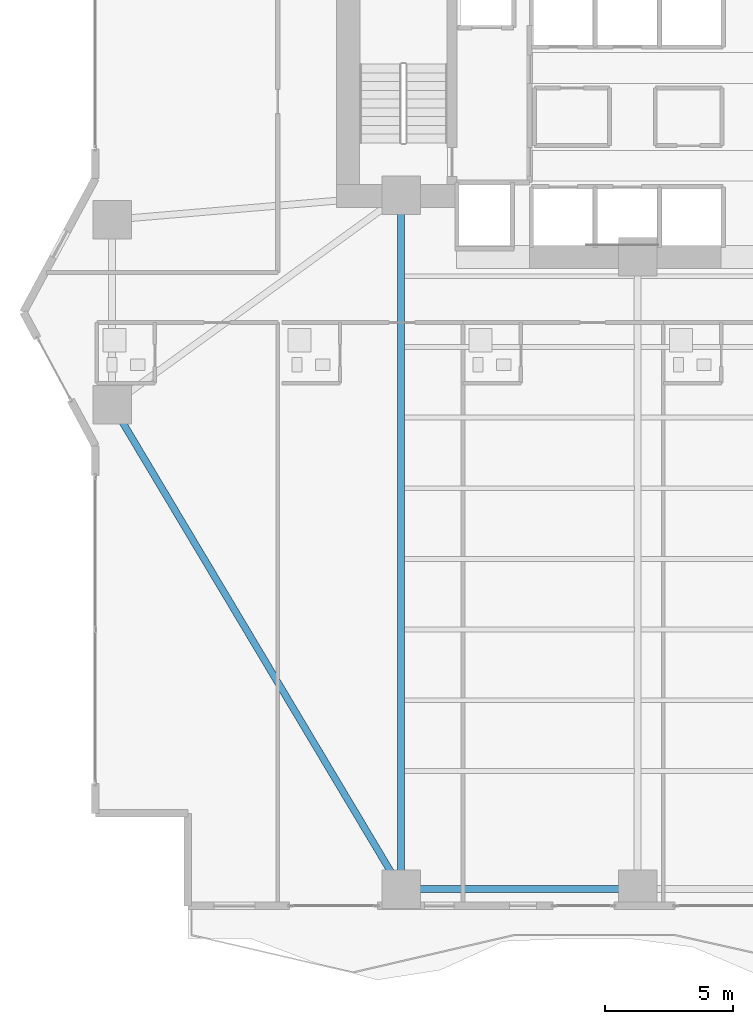
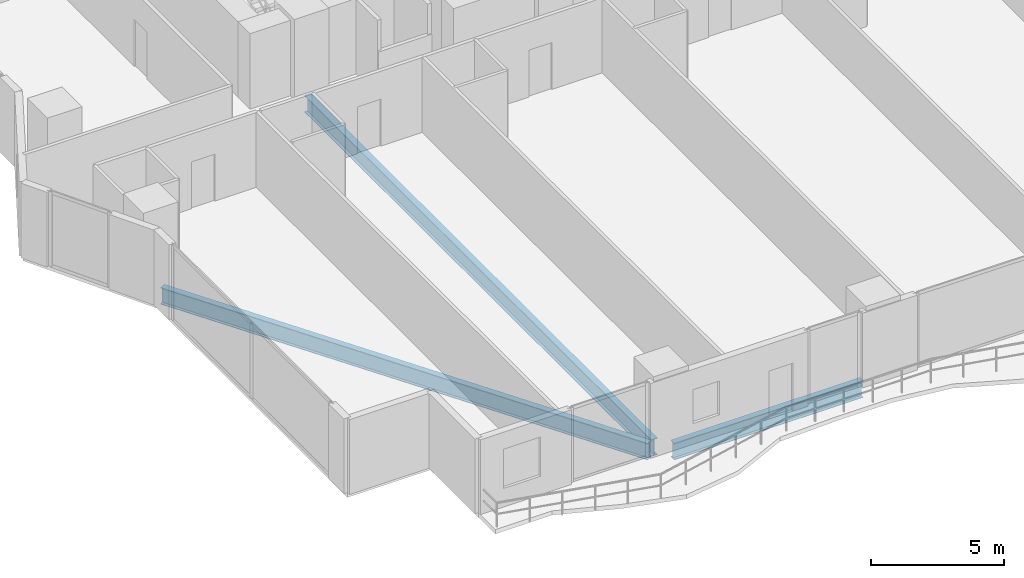
# One storey, part 3 of 28: 3 beams.
"""IFC4 building model written with IfcOpenShell, lengths in metres."""

from ifc_helpers import new_model, si_unit, direction, frame, origin, origin_2d, place, context, subcontext, project, spatial, i_section, extrude, material, material_profile, profile_set, type_object, element, save


model = new_model("IFC4")

# Units and contexts
model_context = context("Model", 3, precision=1e-05, world=origin(), true_north=direction((0.0, 1.0)))
body_context = subcontext(model_context, "Body", "Model", "MODEL_VIEW")
ifc_project = project(units=[si_unit("LENGTHUNIT", "METRE"), si_unit("AREAUNIT", "SQUARE_METRE"), si_unit("VOLUMEUNIT", "CUBIC_METRE"), si_unit("PLANEANGLEUNIT", "RADIAN"), si_unit("MASSUNIT", "GRAM", prefix="KILO")], contexts=[model_context])

# Site, building, storey
site_placement = place(None, origin())
site = spatial("IfcSite", under=ifc_project, at=site_placement, CompositionType="ELEMENT")
building_placement = place(site_placement, origin())
building = spatial("IfcBuilding", under=site, at=building_placement, Name="Zuhayl Quay Hotel", CompositionType="ELEMENT")
storey_placement = place(building_placement, frame((0.0, 0.0, 56.800048828125)))
storey = spatial("IfcBuildingStorey", under=building, at=storey_placement, Name="L13", CompositionType="ELEMENT", Elevation=56.800048828125)

# Beams
ifc_material = material(Name="Steel ASTM A992 Grade 50", Category="steel")
ifc_material_profile = material_profile(ifc_material, i_section(OverallWidth=0.26708984375, OverallDepth=0.761962890625, WebThickness=0.014404296875, FlangeThickness=0.021484375, at=origin_2d()), Name="W30X116")
ifc_profile_set = profile_set([ifc_material_profile], Name="Steel ASTM A992 Grade 50")
beam_type = type_object("IfcBeamType", Name="BM_B1_W30X116", PredefinedType="BEAM", material=ifc_profile_set)
beam_1_placement = place(storey_placement, frame((-13.300048828125, -22.449951171875, -0.60107421875), z_axis=(1.0, 0.0, 0.0), x_axis=(0.0, 1.0, 0.0)))
element("IfcBeam", 1, at=beam_1_placement, inside=storey, type_object=beam_type, Name="L13 Floor Beam RG_L13_01", PredefinedType="BEAM", context=body_context, shape_type="SweptSolid", body=[
    extrude(i_section(OverallWidth=0.26708984375, OverallDepth=0.761962890625, WebThickness=0.014404296875, FlangeThickness=0.021484375, at=origin_2d()), origin(), (0.0, 0.0, 1.0), 8.199951171875),
])
beam_2_placement = place(storey_placement, frame((-24.793701171875, -4.029296875, -0.60107421875), z_axis=(0.512482593247, -0.85869761361, 0.0), x_axis=(0.85869761361, 0.512482593247, 0.0)))
element("IfcBeam", 2, at=beam_2_placement, inside=storey, type_object=beam_type, Name="L13 Floor Beam RG_L13_12", PredefinedType="BEAM", context=body_context, shape_type="SweptSolid", body=[
    extrude(i_section(OverallWidth=0.26708984375, OverallDepth=0.761962890625, WebThickness=0.014404296875, FlangeThickness=0.021484375, at=origin_2d()), origin(), (0.0, 0.0, 1.0), 20.9521484375),
])
beam_3_placement = place(storey_placement, frame((-13.800048828125, -21.949951171875, -0.60107421875), z_axis=(0.0, 1.0, 0.0), x_axis=(-1.0, 0.0, 0.0)))
element("IfcBeam", 3, at=beam_3_placement, inside=storey, type_object=beam_type, Name="L13 Floor Beam FG_S_L13_1", PredefinedType="BEAM", context=body_context, shape_type="SweptSolid", body=[
    extrude(i_section(OverallWidth=0.26708984375, OverallDepth=0.761962890625, WebThickness=0.014404296875, FlangeThickness=0.021484375, at=origin_2d()), origin(), (0.0, 0.0, 1.0), 26.050048828125),
])

save(model, "model.ifc")
